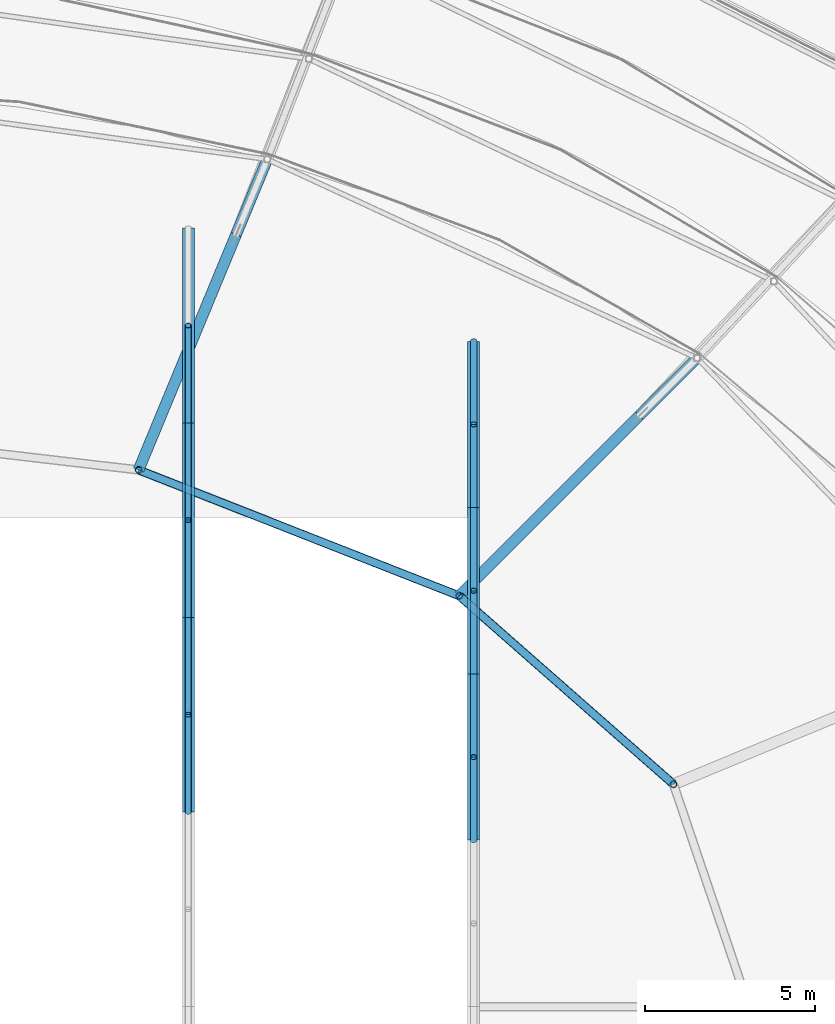
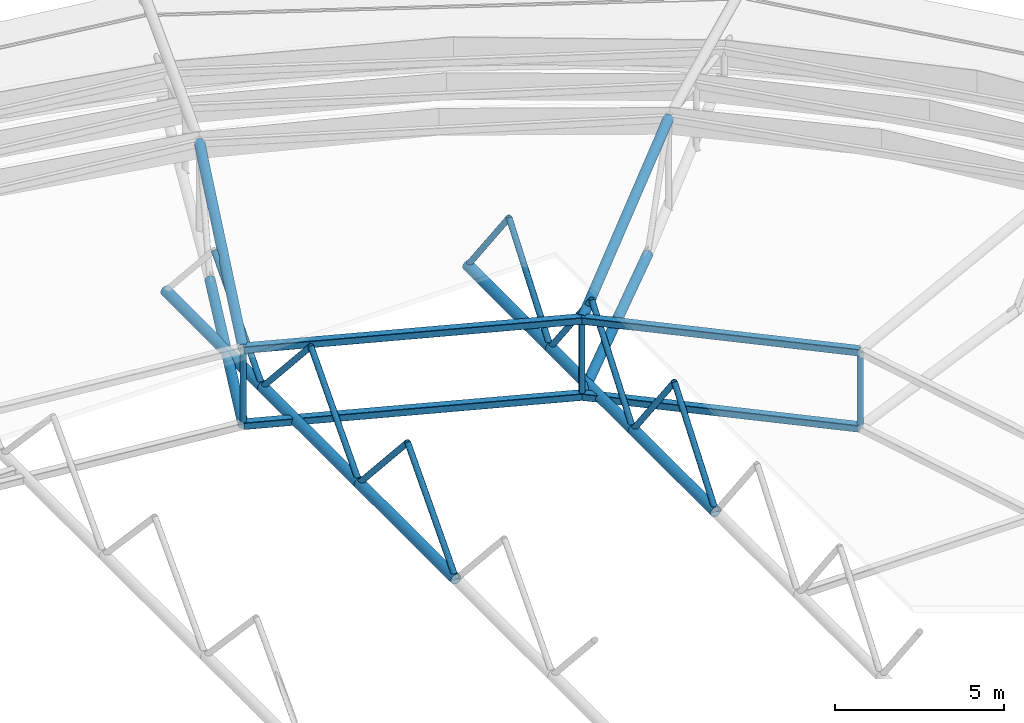
# One storey, part 36 of 134: 28 members.
"""IFC4 building model written with IfcOpenShell, lengths in metres."""

from ifc_helpers import new_model, si_unit, derived_unit, direction, frame, origin, origin_2d, place, context, subcontext, project, spatial, hollow_rectangle, hollow_circle, extrude, material, material_profile, profile_set, type_object, element, save


model = new_model("IFC4")

# Units and contexts
model_context = context("Model", 3, precision=1e-05, world=origin(), true_north=direction((0.0, 1.0)))
body_context = subcontext(model_context, "Body", "Model", "MODEL_VIEW")
ifc_project = project(units=[si_unit("LENGTHUNIT", "METRE"), si_unit("AREAUNIT", "SQUARE_METRE"), si_unit("VOLUMEUNIT", "CUBIC_METRE"), si_unit("PLANEANGLEUNIT", "RADIAN"), si_unit("MASSUNIT", "GRAM", prefix="KILO"), derived_unit("THERMALTRANSMITTANCEUNIT", [(si_unit("MASSUNIT", "GRAM", prefix="KILO"), 1), (si_unit("TIMEUNIT", "SECOND"), -3), (si_unit("THERMODYNAMICTEMPERATUREUNIT", "KELVIN"), -1)])], contexts=[model_context])

# Site, building, storey
site_placement = place(None, origin())
site = spatial("IfcSite", under=ifc_project, at=site_placement, CompositionType="ELEMENT")
building_placement = place(site_placement, origin())
building = spatial("IfcBuilding", under=site, at=building_placement, Name="Kharveza Railside Sports Centre", CompositionType="ELEMENT")
storey_placement = place(building_placement, frame((0.0, 0.0, 12.89990234375)))
storey = spatial("IfcBuildingStorey", under=building, at=storey_placement, Name="L03", CompositionType="ELEMENT", Elevation=12.89990234375)

# Members
ifc_material = material(Name="Steel S355J2", Category="steel")
ifc_material_profile_1 = material_profile(ifc_material, hollow_circle(Radius=0.177734375, WallThickness=0.01611328125, at=origin_2d()), Name="CHS 355.6x16.0")
ifc_profile_set_1 = profile_set([ifc_material_profile_1], Name="Steel S355J2")
member_type_1 = type_object("IfcMemberType", Name="MB-CH01", PredefinedType="CHORD", material=ifc_profile_set_1)
for number, where, z_axis, x_axis, name in (
    (1, (67.199951171875, 56.12890625, -0.0498046875), (0.0, 1.0, 0.0), (-1.0, 0.0, 0.0), "MB-V1TR-BC-5-6"),
    (2, (67.199951171875, 61.857666015625, -0.0498046875), (0.0, 1.0, 0.0), (-1.0, 0.0, 0.0), "MB-V1TR-BC-5-7"),
):
    element("IfcMember", number, at=place(storey_placement, frame(where, z_axis=z_axis, x_axis=x_axis)), inside=storey, type_object=member_type_1, Name=name, PredefinedType="CHORD", context=body_context, shape_type="SweptSolid", body=[
        extrude(hollow_circle(Radius=0.177734375, WallThickness=0.01611328125, at=origin_2d()), origin(), (0.0, 0.0, 1.0), 5.728759765625),
    ])
member_1_placement = place(storey_placement, frame((67.199951171875, 67.58642578125, -0.0498046875), z_axis=(0.0, 1.0, 0.0), x_axis=(-1.0, 0.0, 0.0)))
element("IfcMember", 3, at=member_1_placement, inside=storey, type_object=member_type_1, Name="MB-V1TR-BC-5-8", PredefinedType="CHORD", context=body_context, shape_type="SweptSolid", body=[
    extrude(hollow_circle(Radius=0.177734375, WallThickness=0.01611328125, at=origin_2d()), origin(), (0.0, 0.0, 1.0), 5.72900390625),
])
member_2_placement = place(storey_placement, frame((75.60009765625, 55.296630859375, -0.0498046875), z_axis=(0.0, 1.0, 0.0), x_axis=(-1.0, 0.0, 0.0)))
element("IfcMember", 4, at=member_2_placement, inside=storey, type_object=member_type_1, Name="MB-V1TR-BC-6-6", PredefinedType="CHORD", context=body_context, shape_type="SweptSolid", body=[
    extrude(hollow_circle(Radius=0.177734375, WallThickness=0.01611328125, at=origin_2d()), origin(), (0.0, 0.0, 1.0), 4.896728515625),
])
member_3_placement = place(storey_placement, frame((75.60009765625, 60.193359375, -0.0498046875), z_axis=(0.0, 1.0, 0.0), x_axis=(-1.0, 0.0, 0.0)))
element("IfcMember", 5, at=member_3_placement, inside=storey, type_object=member_type_1, Name="MB-V1TR-BC-6-7", PredefinedType="CHORD", context=body_context, shape_type="SweptSolid", body=[
    extrude(hollow_circle(Radius=0.177734375, WallThickness=0.01611328125, at=origin_2d()), origin(), (0.0, 0.0, 1.0), 4.896484375),
])
member_4_placement = place(storey_placement, frame((75.60009765625, 65.08984375, -0.0498046875), z_axis=(0.0, 1.0, 0.0), x_axis=(-1.0, 0.0, 0.0)))
element("IfcMember", 6, at=member_4_placement, inside=storey, type_object=member_type_1, Name="MB-V1TR-BC-6-8", PredefinedType="CHORD", context=body_context, shape_type="SweptSolid", body=[
    extrude(hollow_circle(Radius=0.177734375, WallThickness=0.01611328125, at=origin_2d()), origin(), (0.0, 0.0, 1.0), 4.896728515625),
])
ifc_material_profile_2 = material_profile(ifc_material, hollow_circle(Radius=0.161865234375, WallThickness=0.01611328125, at=origin_2d()), Name="CHS 323.9x16.0")
ifc_profile_set_2 = profile_set([ifc_material_profile_2], Name="Steel S355J2")
member_type_2 = type_object("IfcMemberType", Name="MB-CH02", PredefinedType="CHORD", material=ifc_profile_set_2)
member_5_placement = place(storey_placement, frame((75.1767578125, 62.491455078125, -0.0498046875), z_axis=(0.707090505092, 0.707123056906, 0.0), x_axis=(-0.707123056906, 0.707090505092, 0.0)))
element("IfcMember", 7, at=member_5_placement, inside=storey, type_object=member_type_2, Name="MB-OUT-BC1-03", PredefinedType="CHORD", context=body_context, shape_type="SweptSolid", body=[
    extrude(hollow_circle(Radius=0.161865234375, WallThickness=0.01611328125, at=origin_2d()), origin(), (0.0, 0.0, 1.0), 7.5),
])
member_6_placement = place(storey_placement, frame((75.1767578125, 62.491455078125, 2.7001953125), z_axis=(0.706018898466, 0.706018898466, 0.055449346423), x_axis=(-0.707106781187, 0.707106781187, 0.0)))
element("IfcMember", 8, at=member_6_placement, inside=storey, type_object=member_type_2, Name="MB-OUT-TC1-03", PredefinedType="CHORD", context=body_context, shape_type="SweptSolid", body=[
    extrude(hollow_circle(Radius=0.161865234375, WallThickness=0.01611328125, at=origin_2d()), origin(), (0.0, 0.0, 1.0), 9.91552734375),
])
member_7_placement = place(storey_placement, frame((65.736083984375, 66.1982421875, -0.0498046875), z_axis=(0.382677616283, 0.92388194159, 0.0), x_axis=(-0.92388194159, 0.382677616283, 0.0)))
element("IfcMember", 9, at=member_7_placement, inside=storey, type_object=member_type_2, Name="MB-OUT-BC1-04", PredefinedType="CHORD", context=body_context, shape_type="SweptSolid", body=[
    extrude(hollow_circle(Radius=0.161865234375, WallThickness=0.01611328125, at=origin_2d()), origin(), (0.0, 0.0, 1.0), 7.5),
])
member_8_placement = place(storey_placement, frame((65.736083984375, 66.1982421875, 2.7001953125), z_axis=(0.382092624756, 0.922458956943, 0.055449967196), x_axis=(-0.923880377367, 0.382681392697, 0.0)))
element("IfcMember", 10, at=member_8_placement, inside=storey, type_object=member_type_2, Name="MB-OUT-TC1-04", PredefinedType="CHORD", context=body_context, shape_type="SweptSolid", body=[
    extrude(hollow_circle(Radius=0.161865234375, WallThickness=0.01611328125, at=origin_2d()), origin(), (0.0, 0.0, 1.0), 9.915283203125),
])
ifc_material_profile_3 = material_profile(ifc_material, hollow_rectangle(XDim=0.25, YDim=0.25, WallThickness=0.012451171875, InnerFilletRadius=0.012451171875, OuterFilletRadius=0.02490234375, at=origin_2d()), Name="SHS 250x250x12.5")
ifc_profile_set_3 = profile_set([ifc_material_profile_3], Name="Steel S355J2")
member_type_3 = type_object("IfcMemberType", Name="MB-CH05", PredefinedType="CHORD", material=ifc_profile_set_3)
for number, where, z_axis, x_axis, name in (
    (11, (81.48486328125, 56.94384765625, -0.0498046875), (-0.75092160936, 0.660391351091, 0.0), (-0.660391351091, -0.75092160936, 0.0), "MB-INRING-BOT-02"),
    (12, (81.48486328125, 56.94384765625, 2.7001953125), (-0.75092160936, 0.660391351091, 0.0), (-0.660391351091, -0.75092160936, 0.0), "MB-INRING-TOP-02"),
):
    element("IfcMember", number, at=place(storey_placement, frame(where, z_axis=z_axis, x_axis=x_axis)), inside=storey, type_object=member_type_3, Name=name, PredefinedType="CHORD", context=body_context, shape_type="SweptSolid", body=[
        extrude(hollow_rectangle(XDim=0.25, YDim=0.25, WallThickness=0.012451171875, InnerFilletRadius=0.012451171875, OuterFilletRadius=0.02490234375, at=origin_2d()), origin(), (0.0, 0.0, 1.0), 8.400390625),
    ])
for number, where, z_axis, x_axis, name in (
    (13, (75.1767578125, 62.491455078125, -0.0498046875), (-0.930820233657, 0.365477348977, 0.0), (-0.365477348977, -0.930820233657, 0.0), "MB-INRING-BOT-03"),
    (14, (75.1767578125, 62.491455078125, 2.7001953125), (-0.930820233657, 0.365477348977, 0.0), (-0.365477348977, -0.930820233657, 0.0), "MB-INRING-TOP-03"),
):
    element("IfcMember", number, at=place(storey_placement, frame(where, z_axis=z_axis, x_axis=x_axis)), inside=storey, type_object=member_type_3, Name=name, PredefinedType="CHORD", context=body_context, shape_type="SweptSolid", body=[
        extrude(hollow_rectangle(XDim=0.25, YDim=0.25, WallThickness=0.012451171875, InnerFilletRadius=0.012451171875, OuterFilletRadius=0.02490234375, at=origin_2d()), origin(), (0.0, 0.0, 1.0), 10.142333984375),
    ])
ifc_material_profile_4 = material_profile(ifc_material, hollow_circle(Radius=0.096923828125, WallThickness=0.010009765625, at=origin_2d()), Name="CHS 193.7x10.0")
ifc_profile_set_4 = profile_set([ifc_material_profile_4], Name="Steel S355J2")
member_type_4 = type_object("IfcMemberType", Name="MB-ST02", PredefinedType="STRUT", material=ifc_profile_set_4)
for number, where, z_axis, x_axis, name in (
    (15, (81.48486328125, 56.94384765625, -0.0498046875), (0.0, 0.0, 1.0), (1.0, 0.0, 0.0), "MB-OUT-WEB-02-1"),
    (16, (75.1767578125, 62.491455078125, -0.0498046875), (0.0, 0.0, 1.0), (1.0, 0.0, 0.0), "MB-OUT-WEB-03-1"),
    (17, (65.736083984375, 66.1982421875, -0.0498046875), (0.0, 0.0, 1.0), (1.0, 0.0, 0.0), "MB-OUT-WEB-04-1"),
):
    element("IfcMember", number, at=place(storey_placement, frame(where, z_axis=z_axis, x_axis=x_axis)), inside=storey, type_object=member_type_4, Name=name, PredefinedType="STRUT", context=body_context, shape_type="SweptSolid", body=[
        extrude(hollow_circle(Radius=0.096923828125, WallThickness=0.010009765625, at=origin_2d()), origin(), (0.0, 0.0, 1.0), 2.75),
    ])
for number, where, z_axis, x_axis, name in (
    (18, (67.199951171875, 56.12890625, -0.0498046875), (0.0, 0.666974298635, 0.745080723788), (-1.0, 0.0, 0.0), "MB-V1TR-D1-5-6"),
    (19, (67.199951171875, 58.993408203125, 3.150146484375), (0.0, 0.666942739043, -0.745108973801), (-1.0, 0.0, 0.0), "MB-V1TR-D2-5-6"),
    (20, (67.199951171875, 61.857666015625, -0.0498046875), (0.0, 0.666974298635, 0.745080723788), (-1.0, 0.0, 0.0), "MB-V1TR-D1-5-7"),
    (21, (67.199951171875, 64.72216796875, 3.150146484375), (0.0, 0.666942739043, -0.745108973801), (-1.0, 0.0, 0.0), "MB-V1TR-D2-5-7"),
    (22, (67.199951171875, 67.58642578125, -0.0498046875), (0.0, 0.666974298635, 0.745080723788), (-1.0, 0.0, 0.0), "MB-V1TR-D1-5-8"),
):
    element("IfcMember", number, at=place(storey_placement, frame(where, z_axis=z_axis, x_axis=x_axis)), inside=storey, type_object=member_type_4, Name=name, PredefinedType="STRUT", context=body_context, shape_type="SweptSolid", body=[
        extrude(hollow_circle(Radius=0.096923828125, WallThickness=0.010009765625, at=origin_2d()), origin(), (0.0, 0.0, 1.0), 4.294677734375),
    ])
member_9_placement = place(storey_placement, frame((75.60009765625, 55.296630859375, -0.0498046875), z_axis=(0.0, 0.607679486015, 0.794182373436), x_axis=(-1.0, 0.0, 0.0)))
element("IfcMember", 23, at=member_9_placement, inside=storey, type_object=member_type_4, Name="MB-V1TR-D1-6-6", PredefinedType="STRUT", context=body_context, shape_type="SweptSolid", body=[
    extrude(hollow_circle(Radius=0.096923828125, WallThickness=0.010009765625, at=origin_2d()), origin(), (0.0, 0.0, 1.0), 4.029296875),
])
for number, where, z_axis, x_axis, name in (
    (24, (75.60009765625, 57.7451171875, 3.150146484375), (0.0, 0.60764126683, -0.794211615909), (-1.0, 0.0, 0.0), "MB-V1TR-D2-6-6"),
    (25, (75.60009765625, 60.193359375, -0.0498046875), (0.0, 0.60764126683, 0.794211615909), (-1.0, 0.0, 0.0), "MB-V1TR-D1-6-7"),
    (26, (75.60009765625, 62.6416015625, 3.150146484375), (0.0, 0.60764126683, -0.794211615909), (-1.0, 0.0, 0.0), "MB-V1TR-D2-6-7"),
    (27, (75.60009765625, 65.08984375, -0.0498046875), (0.0, 0.60764126683, 0.794211615909), (-1.0, 0.0, 0.0), "MB-V1TR-D1-6-8"),
):
    element("IfcMember", number, at=place(storey_placement, frame(where, z_axis=z_axis, x_axis=x_axis)), inside=storey, type_object=member_type_4, Name=name, PredefinedType="STRUT", context=body_context, shape_type="SweptSolid", body=[
        extrude(hollow_circle(Radius=0.096923828125, WallThickness=0.010009765625, at=origin_2d()), origin(), (0.0, 0.0, 1.0), 4.029052734375),
    ])
member_10_placement = place(storey_placement, frame((75.60009765625, 67.5380859375, 3.150146484375), z_axis=(0.0, 0.607679486015, -0.794182373436), x_axis=(-1.0, 0.0, 0.0)))
element("IfcMember", 28, at=member_10_placement, inside=storey, type_object=member_type_4, Name="MB-V1TR-D2-6-8", PredefinedType="STRUT", context=body_context, shape_type="SweptSolid", body=[
    extrude(hollow_circle(Radius=0.096923828125, WallThickness=0.010009765625, at=origin_2d()), origin(), (0.0, 0.0, 1.0), 4.029296875),
])

save(model, "model.ifc")
